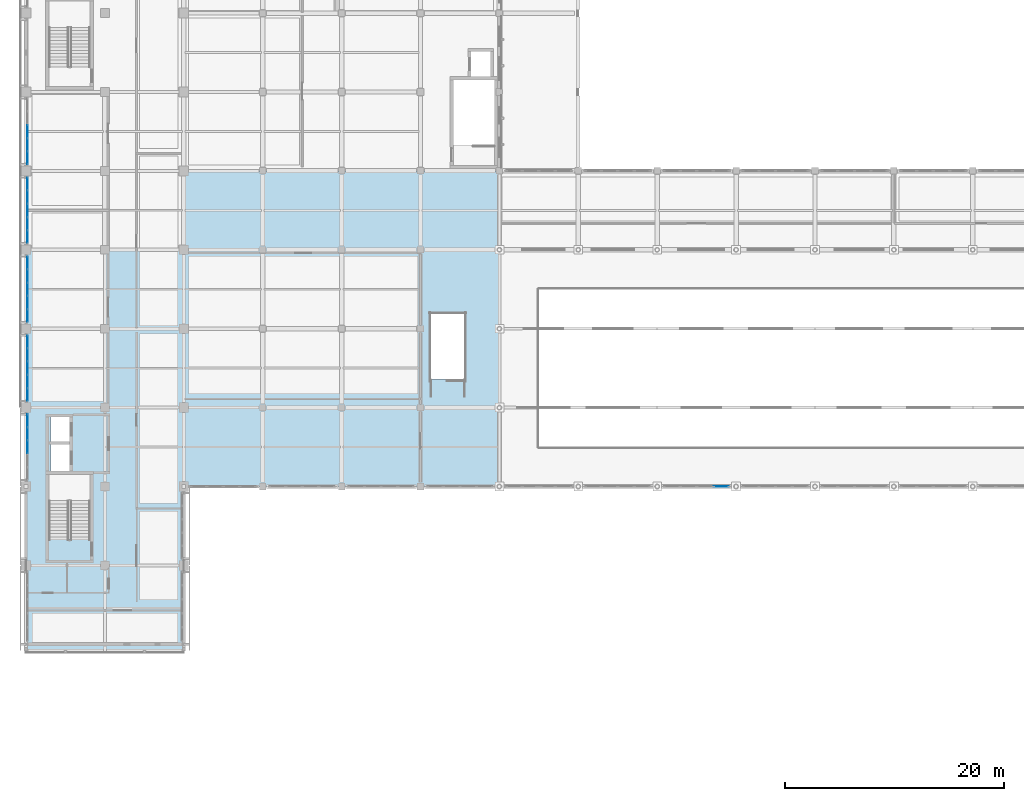
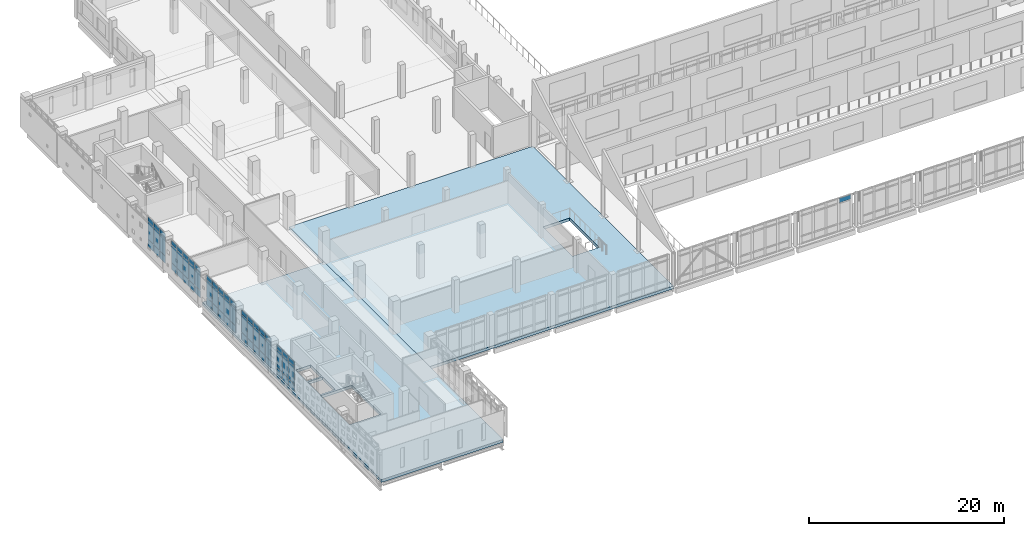
# One storey, part 30 of 62: 64 plates, 2 slabs, 6 elements without a shape of their own.
"""IFC4 building model written with IfcOpenShell, lengths in metres."""

from ifc_helpers import new_model, si_unit, direction, frame, origin, origin_2d, place, context, subcontext, project, spatial, polyline, rectangle, outline, extrude, material, layer, layer_set, type_object, element, aggregate, save


model = new_model("IFC4")

# Units and contexts
model_context = context("Model", 3, precision=1e-05, world=origin(), true_north=direction((0.0, 1.0)))
body_context = subcontext(model_context, "Body", "Model", "MODEL_VIEW")
ifc_project = project(units=[si_unit("LENGTHUNIT", "METRE"), si_unit("AREAUNIT", "SQUARE_METRE"), si_unit("VOLUMEUNIT", "CUBIC_METRE"), si_unit("PLANEANGLEUNIT", "RADIAN"), si_unit("MASSUNIT", "GRAM", prefix="KILO")], contexts=[model_context])

# Site, building, storey
site_placement = place(None, origin())
site = spatial("IfcSite", under=ifc_project, at=site_placement, CompositionType="ELEMENT")
building_placement = place(site_placement, origin())
building = spatial("IfcBuilding", under=site, at=building_placement, Name="Valkovuoma Quantum and Materials Research Institute", CompositionType="ELEMENT")
storey_placement = place(building_placement, frame((0.0, 0.0, 13.1201171875)))
storey = spatial("IfcBuildingStorey", under=building, at=storey_placement, Name="L03", CompositionType="ELEMENT", Elevation=13.1201171875)

# Curtain wall, plates
ifc_material_1 = material(Name="Thermally broken aluminium and triple low-E glazing", Category="aluminium")
ifc_layer_1 = layer(ifc_material_1, 0.219970703125)
ifc_layer_set_1 = layer_set([ifc_layer_1], Name="Thermally broken aluminium and triple low-E glazing")
curtain_wall_type_1 = type_object("IfcCurtainWallType", Name="CW-CW-01", PredefinedType="NOTDEFINED", material=ifc_layer_set_1)
curtain_wall_1_placement = place(storey_placement, origin())
curtain_wall_1 = element("IfcCurtainWall", 1, at=curtain_wall_1_placement, inside=storey, type_object=curtain_wall_type_1, Name="L03 curtain wall 031", PredefinedType="NOTDEFINED")
ifc_material_2 = material(Name="Triple low-E argon insulating glass", Category="glass")
ifc_layer_2 = layer(ifc_material_2, 0.035888671875)
ifc_layer_set_2 = layer_set([ifc_layer_2], Name="Triple low-E argon insulating glass")
plate_type_1 = type_object("IfcPlateType", Name="CWPanel-CWP-01", PredefinedType="CURTAIN_PANEL", material=ifc_layer_set_2)
plate_1_placement = place(storey_placement, frame((0.14990234375, 39.60009765625, 0.06494140625), z_axis=(0.0, 0.0, 1.0), x_axis=(0.0, 1.0, 0.0)))
plate_1 = element("IfcPlate", 2, at=plate_1_placement, type_object=plate_type_1, Name="CW-01 panel 3.1", PredefinedType="CURTAIN_PANEL", context=body_context, shape_type="SweptSolid", body=[
    extrude(rectangle(XDim=1.152099609375, YDim=0.035888671875, at=origin_2d()), origin(), (0.0, 0.0, 1.0), 0.8525390625),
])
plate_2_placement = place(storey_placement, frame((0.14990234375, 39.60009765625, 0.982421875), z_axis=(0.0, 0.0, 1.0), x_axis=(0.0, 1.0, 0.0)))
plate_2 = element("IfcPlate", 3, at=plate_2_placement, type_object=plate_type_1, Name="CW-01 panel 3.2", PredefinedType="CURTAIN_PANEL", context=body_context, shape_type="SweptSolid", body=[
    extrude(rectangle(XDim=1.152099609375, YDim=0.035888671875, at=origin_2d()), origin(), (0.0, 0.0, 1.0), 2.14501953125),
])
plate_3_placement = place(storey_placement, frame((0.14990234375, 39.60009765625, 3.1923828125), z_axis=(0.0, 0.0, 1.0), x_axis=(0.0, 1.0, 0.0)))
plate_3 = element("IfcPlate", 4, at=plate_3_placement, type_object=plate_type_1, Name="CW-01 panel 3.3", PredefinedType="CURTAIN_PANEL", context=body_context, shape_type="SweptSolid", body=[
    extrude(rectangle(XDim=1.152099609375, YDim=0.035888671875, at=origin_2d()), origin(), (0.0, 0.0, 1.0), 0.552490234375),
])
plate_4_placement = place(storey_placement, frame((0.14990234375, 40.817138671875, 0.06494140625), z_axis=(0.0, 0.0, 1.0), x_axis=(0.0, 1.0, 0.0)))
plate_4 = element("IfcPlate", 5, at=plate_4_placement, type_object=plate_type_1, Name="CW-01 panel 4.1", PredefinedType="CURTAIN_PANEL", context=body_context, shape_type="SweptSolid", body=[
    extrude(rectangle(XDim=1.152099609375, YDim=0.035888671875, at=origin_2d()), origin(), (0.0, 0.0, 1.0), 0.8525390625),
])
plate_5_placement = place(storey_placement, frame((0.14990234375, 40.817138671875, 0.982421875), z_axis=(0.0, 0.0, 1.0), x_axis=(0.0, 1.0, 0.0)))
plate_5 = element("IfcPlate", 6, at=plate_5_placement, type_object=plate_type_1, Name="CW-01 panel 4.2", PredefinedType="CURTAIN_PANEL", context=body_context, shape_type="SweptSolid", body=[
    extrude(rectangle(XDim=1.152099609375, YDim=0.035888671875, at=origin_2d()), origin(), (0.0, 0.0, 1.0), 2.14501953125),
])
plate_6_placement = place(storey_placement, frame((0.14990234375, 40.817138671875, 3.1923828125), z_axis=(0.0, 0.0, 1.0), x_axis=(0.0, 1.0, 0.0)))
plate_6 = element("IfcPlate", 7, at=plate_6_placement, type_object=plate_type_1, Name="CW-01 panel 4.3", PredefinedType="CURTAIN_PANEL", context=body_context, shape_type="SweptSolid", body=[
    extrude(rectangle(XDim=1.152099609375, YDim=0.035888671875, at=origin_2d()), origin(), (0.0, 0.0, 1.0), 0.552490234375),
])
plate_7_placement = place(storey_placement, frame((0.14990234375, 42.01806640625, 0.06494140625), z_axis=(0.0, 0.0, 1.0), x_axis=(0.0, 1.0, 0.0)))
plate_7 = element("IfcPlate", 8, at=plate_7_placement, type_object=plate_type_1, Name="CW-01 panel 5.1", PredefinedType="CURTAIN_PANEL", context=body_context, shape_type="SweptSolid", body=[
    extrude(rectangle(XDim=1.11962890625, YDim=0.035888671875, at=origin_2d()), origin(), (0.0, 0.0, 1.0), 0.8525390625),
])
plate_8_placement = place(storey_placement, frame((0.14990234375, 42.01806640625, 0.982421875), z_axis=(0.0, 0.0, 1.0), x_axis=(0.0, 1.0, 0.0)))
plate_8 = element("IfcPlate", 9, at=plate_8_placement, type_object=plate_type_1, Name="CW-01 panel 5.2", PredefinedType="CURTAIN_PANEL", context=body_context, shape_type="SweptSolid", body=[
    extrude(rectangle(XDim=1.11962890625, YDim=0.035888671875, at=origin_2d()), origin(), (0.0, 0.0, 1.0), 2.14501953125),
])
plate_9_placement = place(storey_placement, frame((0.14990234375, 42.01806640625, 3.1923828125), z_axis=(0.0, 0.0, 1.0), x_axis=(0.0, 1.0, 0.0)))
plate_9 = element("IfcPlate", 10, at=plate_9_placement, type_object=plate_type_1, Name="CW-01 panel 5.3", PredefinedType="CURTAIN_PANEL", context=body_context, shape_type="SweptSolid", body=[
    extrude(rectangle(XDim=1.11962890625, YDim=0.035888671875, at=origin_2d()), origin(), (0.0, 0.0, 1.0), 0.552490234375),
])
aggregate(curtain_wall_1, [plate_1, plate_2, plate_3, plate_4, plate_5, plate_6, plate_7, plate_8, plate_9])

curtain_wall_2_placement = place(storey_placement, origin())
curtain_wall_2 = element("IfcCurtainWall", 11, at=curtain_wall_2_placement, inside=storey, type_object=curtain_wall_type_1, Name="L03 curtain wall 032", PredefinedType="NOTDEFINED")
plate_10_placement = place(storey_placement, frame((0.14990234375, 44.3818359375, 0.06494140625), z_axis=(0.0, 0.0, 1.0), x_axis=(0.0, 1.0, 0.0)))
plate_10 = element("IfcPlate", 12, at=plate_10_placement, type_object=plate_type_1, Name="CW-01 panel 1.1", PredefinedType="CURTAIN_PANEL", context=body_context, shape_type="SweptSolid", body=[
    extrude(rectangle(XDim=1.11962890625, YDim=0.035888671875, at=origin_2d()), origin(), (0.0, 0.0, 1.0), 0.8525390625),
])
plate_11_placement = place(storey_placement, frame((0.14990234375, 44.3818359375, 0.982421875), z_axis=(0.0, 0.0, 1.0), x_axis=(0.0, 1.0, 0.0)))
plate_11 = element("IfcPlate", 13, at=plate_11_placement, type_object=plate_type_1, Name="CW-01 panel 1.2", PredefinedType="CURTAIN_PANEL", context=body_context, shape_type="SweptSolid", body=[
    extrude(rectangle(XDim=1.11962890625, YDim=0.035888671875, at=origin_2d()), origin(), (0.0, 0.0, 1.0), 2.14501953125),
])
plate_12_placement = place(storey_placement, frame((0.14990234375, 44.3818359375, 3.1923828125), z_axis=(0.0, 0.0, 1.0), x_axis=(0.0, 1.0, 0.0)))
plate_12 = element("IfcPlate", 14, at=plate_12_placement, type_object=plate_type_1, Name="CW-01 panel 1.3", PredefinedType="CURTAIN_PANEL", context=body_context, shape_type="SweptSolid", body=[
    extrude(rectangle(XDim=1.11962890625, YDim=0.035888671875, at=origin_2d()), origin(), (0.0, 0.0, 1.0), 0.552490234375),
])
plate_13_placement = place(storey_placement, frame((0.14990234375, 45.582763671875, 0.06494140625), z_axis=(0.0, 0.0, 1.0), x_axis=(0.0, 1.0, 0.0)))
plate_13 = element("IfcPlate", 15, at=plate_13_placement, type_object=plate_type_1, Name="CW-01 panel 2.1", PredefinedType="CURTAIN_PANEL", context=body_context, shape_type="SweptSolid", body=[
    extrude(rectangle(XDim=1.152099609375, YDim=0.035888671875, at=origin_2d()), origin(), (0.0, 0.0, 1.0), 0.8525390625),
])
plate_14_placement = place(storey_placement, frame((0.14990234375, 45.582763671875, 0.982421875), z_axis=(0.0, 0.0, 1.0), x_axis=(0.0, 1.0, 0.0)))
plate_14 = element("IfcPlate", 16, at=plate_14_placement, type_object=plate_type_1, Name="CW-01 panel 2.2", PredefinedType="CURTAIN_PANEL", context=body_context, shape_type="SweptSolid", body=[
    extrude(rectangle(XDim=1.152099609375, YDim=0.035888671875, at=origin_2d()), origin(), (0.0, 0.0, 1.0), 2.14501953125),
])
plate_15_placement = place(storey_placement, frame((0.14990234375, 45.582763671875, 3.1923828125), z_axis=(0.0, 0.0, 1.0), x_axis=(0.0, 1.0, 0.0)))
plate_15 = element("IfcPlate", 17, at=plate_15_placement, type_object=plate_type_1, Name="CW-01 panel 2.3", PredefinedType="CURTAIN_PANEL", context=body_context, shape_type="SweptSolid", body=[
    extrude(rectangle(XDim=1.152099609375, YDim=0.035888671875, at=origin_2d()), origin(), (0.0, 0.0, 1.0), 0.552490234375),
])
plate_16_placement = place(storey_placement, frame((0.14990234375, 46.800048828125, 0.06494140625), z_axis=(0.0, 0.0, 1.0), x_axis=(0.0, 1.0, 0.0)))
plate_16 = element("IfcPlate", 18, at=plate_16_placement, type_object=plate_type_1, Name="CW-01 panel 3.1", PredefinedType="CURTAIN_PANEL", context=body_context, shape_type="SweptSolid", body=[
    extrude(rectangle(XDim=1.152099609375, YDim=0.035888671875, at=origin_2d()), origin(), (0.0, 0.0, 1.0), 0.8525390625),
])
plate_17_placement = place(storey_placement, frame((0.14990234375, 46.800048828125, 0.982421875), z_axis=(0.0, 0.0, 1.0), x_axis=(0.0, 1.0, 0.0)))
plate_17 = element("IfcPlate", 19, at=plate_17_placement, type_object=plate_type_1, Name="CW-01 panel 3.2", PredefinedType="CURTAIN_PANEL", context=body_context, shape_type="SweptSolid", body=[
    extrude(rectangle(XDim=1.152099609375, YDim=0.035888671875, at=origin_2d()), origin(), (0.0, 0.0, 1.0), 2.14501953125),
])
plate_18_placement = place(storey_placement, frame((0.14990234375, 46.800048828125, 3.1923828125), z_axis=(0.0, 0.0, 1.0), x_axis=(0.0, 1.0, 0.0)))
plate_18 = element("IfcPlate", 20, at=plate_18_placement, type_object=plate_type_1, Name="CW-01 panel 3.3", PredefinedType="CURTAIN_PANEL", context=body_context, shape_type="SweptSolid", body=[
    extrude(rectangle(XDim=1.152099609375, YDim=0.035888671875, at=origin_2d()), origin(), (0.0, 0.0, 1.0), 0.552490234375),
])
plate_19_placement = place(storey_placement, frame((0.14990234375, 48.01708984375, 0.06494140625), z_axis=(0.0, 0.0, 1.0), x_axis=(0.0, 1.0, 0.0)))
plate_19 = element("IfcPlate", 21, at=plate_19_placement, type_object=plate_type_1, Name="CW-01 panel 4.1", PredefinedType="CURTAIN_PANEL", context=body_context, shape_type="SweptSolid", body=[
    extrude(rectangle(XDim=1.152099609375, YDim=0.035888671875, at=origin_2d()), origin(), (0.0, 0.0, 1.0), 0.8525390625),
])
plate_20_placement = place(storey_placement, frame((0.14990234375, 48.01708984375, 0.982421875), z_axis=(0.0, 0.0, 1.0), x_axis=(0.0, 1.0, 0.0)))
plate_20 = element("IfcPlate", 22, at=plate_20_placement, type_object=plate_type_1, Name="CW-01 panel 4.2", PredefinedType="CURTAIN_PANEL", context=body_context, shape_type="SweptSolid", body=[
    extrude(rectangle(XDim=1.152099609375, YDim=0.035888671875, at=origin_2d()), origin(), (0.0, 0.0, 1.0), 2.14501953125),
])
plate_21_placement = place(storey_placement, frame((0.14990234375, 48.01708984375, 3.1923828125), z_axis=(0.0, 0.0, 1.0), x_axis=(0.0, 1.0, 0.0)))
plate_21 = element("IfcPlate", 23, at=plate_21_placement, type_object=plate_type_1, Name="CW-01 panel 4.3", PredefinedType="CURTAIN_PANEL", context=body_context, shape_type="SweptSolid", body=[
    extrude(rectangle(XDim=1.152099609375, YDim=0.035888671875, at=origin_2d()), origin(), (0.0, 0.0, 1.0), 0.552490234375),
])
plate_22_placement = place(storey_placement, frame((0.14990234375, 49.218017578125, 0.06494140625), z_axis=(0.0, 0.0, 1.0), x_axis=(0.0, 1.0, 0.0)))
plate_22 = element("IfcPlate", 24, at=plate_22_placement, type_object=plate_type_1, Name="CW-01 panel 5.1", PredefinedType="CURTAIN_PANEL", context=body_context, shape_type="SweptSolid", body=[
    extrude(rectangle(XDim=1.11962890625, YDim=0.035888671875, at=origin_2d()), origin(), (0.0, 0.0, 1.0), 0.8525390625),
])
plate_23_placement = place(storey_placement, frame((0.14990234375, 49.218017578125, 0.982421875), z_axis=(0.0, 0.0, 1.0), x_axis=(0.0, 1.0, 0.0)))
plate_23 = element("IfcPlate", 25, at=plate_23_placement, type_object=plate_type_1, Name="CW-01 panel 5.2", PredefinedType="CURTAIN_PANEL", context=body_context, shape_type="SweptSolid", body=[
    extrude(rectangle(XDim=1.11962890625, YDim=0.035888671875, at=origin_2d()), origin(), (0.0, 0.0, 1.0), 2.14501953125),
])
plate_24_placement = place(storey_placement, frame((0.14990234375, 49.218017578125, 3.1923828125), z_axis=(0.0, 0.0, 1.0), x_axis=(0.0, 1.0, 0.0)))
plate_24 = element("IfcPlate", 26, at=plate_24_placement, type_object=plate_type_1, Name="CW-01 panel 5.3", PredefinedType="CURTAIN_PANEL", context=body_context, shape_type="SweptSolid", body=[
    extrude(rectangle(XDim=1.11962890625, YDim=0.035888671875, at=origin_2d()), origin(), (0.0, 0.0, 1.0), 0.552490234375),
])
aggregate(curtain_wall_2, [plate_10, plate_11, plate_12, plate_13, plate_14, plate_15, plate_16, plate_17, plate_18, plate_19, plate_20, plate_21, plate_22, plate_23, plate_24])

curtain_wall_3_placement = place(storey_placement, origin())
curtain_wall_3 = element("IfcCurtainWall", 27, at=curtain_wall_3_placement, inside=storey, type_object=curtain_wall_type_1, Name="L03 curtain wall 033", PredefinedType="NOTDEFINED")
plate_25_placement = place(storey_placement, frame((0.14990234375, 51.58203125, 0.06494140625), z_axis=(0.0, 0.0, 1.0), x_axis=(0.0, 1.0, 0.0)))
plate_25 = element("IfcPlate", 28, at=plate_25_placement, type_object=plate_type_1, Name="CW-01 panel 1.1", PredefinedType="CURTAIN_PANEL", context=body_context, shape_type="SweptSolid", body=[
    extrude(rectangle(XDim=1.11962890625, YDim=0.035888671875, at=origin_2d()), origin(), (0.0, 0.0, 1.0), 0.8525390625),
])
plate_26_placement = place(storey_placement, frame((0.14990234375, 51.58203125, 0.982421875), z_axis=(0.0, 0.0, 1.0), x_axis=(0.0, 1.0, 0.0)))
plate_26 = element("IfcPlate", 29, at=plate_26_placement, type_object=plate_type_1, Name="CW-01 panel 1.2", PredefinedType="CURTAIN_PANEL", context=body_context, shape_type="SweptSolid", body=[
    extrude(rectangle(XDim=1.11962890625, YDim=0.035888671875, at=origin_2d()), origin(), (0.0, 0.0, 1.0), 2.14501953125),
])
plate_27_placement = place(storey_placement, frame((0.14990234375, 51.58203125, 3.1923828125), z_axis=(0.0, 0.0, 1.0), x_axis=(0.0, 1.0, 0.0)))
plate_27 = element("IfcPlate", 30, at=plate_27_placement, type_object=plate_type_1, Name="CW-01 panel 1.3", PredefinedType="CURTAIN_PANEL", context=body_context, shape_type="SweptSolid", body=[
    extrude(rectangle(XDim=1.11962890625, YDim=0.035888671875, at=origin_2d()), origin(), (0.0, 0.0, 1.0), 0.552490234375),
])
plate_28_placement = place(storey_placement, frame((0.14990234375, 52.782958984375, 0.06494140625), z_axis=(0.0, 0.0, 1.0), x_axis=(0.0, 1.0, 0.0)))
plate_28 = element("IfcPlate", 31, at=plate_28_placement, type_object=plate_type_1, Name="CW-01 panel 2.1", PredefinedType="CURTAIN_PANEL", context=body_context, shape_type="SweptSolid", body=[
    extrude(rectangle(XDim=1.152099609375, YDim=0.035888671875, at=origin_2d()), origin(), (0.0, 0.0, 1.0), 0.8525390625),
])
plate_29_placement = place(storey_placement, frame((0.14990234375, 52.782958984375, 0.982421875), z_axis=(0.0, 0.0, 1.0), x_axis=(0.0, 1.0, 0.0)))
plate_29 = element("IfcPlate", 32, at=plate_29_placement, type_object=plate_type_1, Name="CW-01 panel 2.2", PredefinedType="CURTAIN_PANEL", context=body_context, shape_type="SweptSolid", body=[
    extrude(rectangle(XDim=1.152099609375, YDim=0.035888671875, at=origin_2d()), origin(), (0.0, 0.0, 1.0), 2.14501953125),
])
plate_30_placement = place(storey_placement, frame((0.14990234375, 52.782958984375, 3.1923828125), z_axis=(0.0, 0.0, 1.0), x_axis=(0.0, 1.0, 0.0)))
plate_30 = element("IfcPlate", 33, at=plate_30_placement, type_object=plate_type_1, Name="CW-01 panel 2.3", PredefinedType="CURTAIN_PANEL", context=body_context, shape_type="SweptSolid", body=[
    extrude(rectangle(XDim=1.152099609375, YDim=0.035888671875, at=origin_2d()), origin(), (0.0, 0.0, 1.0), 0.552490234375),
])
plate_31_placement = place(storey_placement, frame((0.14990234375, 54.0, 0.06494140625), z_axis=(0.0, 0.0, 1.0), x_axis=(0.0, 1.0, 0.0)))
plate_31 = element("IfcPlate", 34, at=plate_31_placement, type_object=plate_type_1, Name="CW-01 panel 3.1", PredefinedType="CURTAIN_PANEL", context=body_context, shape_type="SweptSolid", body=[
    extrude(rectangle(XDim=1.152099609375, YDim=0.035888671875, at=origin_2d()), origin(), (0.0, 0.0, 1.0), 0.8525390625),
])
plate_32_placement = place(storey_placement, frame((0.14990234375, 54.0, 0.982421875), z_axis=(0.0, 0.0, 1.0), x_axis=(0.0, 1.0, 0.0)))
plate_32 = element("IfcPlate", 35, at=plate_32_placement, type_object=plate_type_1, Name="CW-01 panel 3.2", PredefinedType="CURTAIN_PANEL", context=body_context, shape_type="SweptSolid", body=[
    extrude(rectangle(XDim=1.152099609375, YDim=0.035888671875, at=origin_2d()), origin(), (0.0, 0.0, 1.0), 2.14501953125),
])
plate_33_placement = place(storey_placement, frame((0.14990234375, 54.0, 3.1923828125), z_axis=(0.0, 0.0, 1.0), x_axis=(0.0, 1.0, 0.0)))
plate_33 = element("IfcPlate", 36, at=plate_33_placement, type_object=plate_type_1, Name="CW-01 panel 3.3", PredefinedType="CURTAIN_PANEL", context=body_context, shape_type="SweptSolid", body=[
    extrude(rectangle(XDim=1.152099609375, YDim=0.035888671875, at=origin_2d()), origin(), (0.0, 0.0, 1.0), 0.552490234375),
])
plate_34_placement = place(storey_placement, frame((0.14990234375, 55.217041015625, 0.06494140625), z_axis=(0.0, 0.0, 1.0), x_axis=(0.0, 1.0, 0.0)))
plate_34 = element("IfcPlate", 37, at=plate_34_placement, type_object=plate_type_1, Name="CW-01 panel 4.1", PredefinedType="CURTAIN_PANEL", context=body_context, shape_type="SweptSolid", body=[
    extrude(rectangle(XDim=1.152099609375, YDim=0.035888671875, at=origin_2d()), origin(), (0.0, 0.0, 1.0), 0.8525390625),
])
plate_35_placement = place(storey_placement, frame((0.14990234375, 55.217041015625, 0.982421875), z_axis=(0.0, 0.0, 1.0), x_axis=(0.0, 1.0, 0.0)))
plate_35 = element("IfcPlate", 38, at=plate_35_placement, type_object=plate_type_1, Name="CW-01 panel 4.2", PredefinedType="CURTAIN_PANEL", context=body_context, shape_type="SweptSolid", body=[
    extrude(rectangle(XDim=1.152099609375, YDim=0.035888671875, at=origin_2d()), origin(), (0.0, 0.0, 1.0), 2.14501953125),
])
plate_36_placement = place(storey_placement, frame((0.14990234375, 55.217041015625, 3.1923828125), z_axis=(0.0, 0.0, 1.0), x_axis=(0.0, 1.0, 0.0)))
plate_36 = element("IfcPlate", 39, at=plate_36_placement, type_object=plate_type_1, Name="CW-01 panel 4.3", PredefinedType="CURTAIN_PANEL", context=body_context, shape_type="SweptSolid", body=[
    extrude(rectangle(XDim=1.152099609375, YDim=0.035888671875, at=origin_2d()), origin(), (0.0, 0.0, 1.0), 0.552490234375),
])
plate_37_placement = place(storey_placement, frame((0.14990234375, 56.41796875, 0.06494140625), z_axis=(0.0, 0.0, 1.0), x_axis=(0.0, 1.0, 0.0)))
plate_37 = element("IfcPlate", 40, at=plate_37_placement, type_object=plate_type_1, Name="CW-01 panel 5.1", PredefinedType="CURTAIN_PANEL", context=body_context, shape_type="SweptSolid", body=[
    extrude(rectangle(XDim=1.11962890625, YDim=0.035888671875, at=origin_2d()), origin(), (0.0, 0.0, 1.0), 0.8525390625),
])
plate_38_placement = place(storey_placement, frame((0.14990234375, 56.41796875, 0.982421875), z_axis=(0.0, 0.0, 1.0), x_axis=(0.0, 1.0, 0.0)))
plate_38 = element("IfcPlate", 41, at=plate_38_placement, type_object=plate_type_1, Name="CW-01 panel 5.2", PredefinedType="CURTAIN_PANEL", context=body_context, shape_type="SweptSolid", body=[
    extrude(rectangle(XDim=1.11962890625, YDim=0.035888671875, at=origin_2d()), origin(), (0.0, 0.0, 1.0), 2.14501953125),
])
plate_39_placement = place(storey_placement, frame((0.14990234375, 56.41796875, 3.1923828125), z_axis=(0.0, 0.0, 1.0), x_axis=(0.0, 1.0, 0.0)))
plate_39 = element("IfcPlate", 42, at=plate_39_placement, type_object=plate_type_1, Name="CW-01 panel 5.3", PredefinedType="CURTAIN_PANEL", context=body_context, shape_type="SweptSolid", body=[
    extrude(rectangle(XDim=1.11962890625, YDim=0.035888671875, at=origin_2d()), origin(), (0.0, 0.0, 1.0), 0.552490234375),
])
aggregate(curtain_wall_3, [plate_25, plate_26, plate_27, plate_28, plate_29, plate_30, plate_31, plate_32, plate_33, plate_34, plate_35, plate_36, plate_37, plate_38, plate_39])

curtain_wall_4_placement = place(storey_placement, origin())
curtain_wall_4 = element("IfcCurtainWall", 43, at=curtain_wall_4_placement, inside=storey, type_object=curtain_wall_type_1, Name="L03 curtain wall 034", PredefinedType="NOTDEFINED")
plate_40_placement = place(storey_placement, frame((0.14990234375, 58.781982421875, 0.06494140625), z_axis=(0.0, 0.0, 1.0), x_axis=(0.0, 1.0, 0.0)))
plate_40 = element("IfcPlate", 44, at=plate_40_placement, type_object=plate_type_1, Name="CW-01 panel 1.1", PredefinedType="CURTAIN_PANEL", context=body_context, shape_type="SweptSolid", body=[
    extrude(rectangle(XDim=1.11962890625, YDim=0.035888671875, at=origin_2d()), origin(), (0.0, 0.0, 1.0), 0.8525390625),
])
plate_41_placement = place(storey_placement, frame((0.14990234375, 58.781982421875, 0.982421875), z_axis=(0.0, 0.0, 1.0), x_axis=(0.0, 1.0, 0.0)))
plate_41 = element("IfcPlate", 45, at=plate_41_placement, type_object=plate_type_1, Name="CW-01 panel 1.2", PredefinedType="CURTAIN_PANEL", context=body_context, shape_type="SweptSolid", body=[
    extrude(rectangle(XDim=1.11962890625, YDim=0.035888671875, at=origin_2d()), origin(), (0.0, 0.0, 1.0), 2.14501953125),
])
plate_42_placement = place(storey_placement, frame((0.14990234375, 58.781982421875, 3.1923828125), z_axis=(0.0, 0.0, 1.0), x_axis=(0.0, 1.0, 0.0)))
plate_42 = element("IfcPlate", 46, at=plate_42_placement, type_object=plate_type_1, Name="CW-01 panel 1.3", PredefinedType="CURTAIN_PANEL", context=body_context, shape_type="SweptSolid", body=[
    extrude(rectangle(XDim=1.11962890625, YDim=0.035888671875, at=origin_2d()), origin(), (0.0, 0.0, 1.0), 0.552490234375),
])
plate_43_placement = place(storey_placement, frame((0.14990234375, 59.98291015625, 0.06494140625), z_axis=(0.0, 0.0, 1.0), x_axis=(0.0, 1.0, 0.0)))
plate_43 = element("IfcPlate", 47, at=plate_43_placement, type_object=plate_type_1, Name="CW-01 panel 2.1", PredefinedType="CURTAIN_PANEL", context=body_context, shape_type="SweptSolid", body=[
    extrude(rectangle(XDim=1.152099609375, YDim=0.035888671875, at=origin_2d()), origin(), (0.0, 0.0, 1.0), 0.8525390625),
])
plate_44_placement = place(storey_placement, frame((0.14990234375, 59.98291015625, 0.982421875), z_axis=(0.0, 0.0, 1.0), x_axis=(0.0, 1.0, 0.0)))
plate_44 = element("IfcPlate", 48, at=plate_44_placement, type_object=plate_type_1, Name="CW-01 panel 2.2", PredefinedType="CURTAIN_PANEL", context=body_context, shape_type="SweptSolid", body=[
    extrude(rectangle(XDim=1.152099609375, YDim=0.035888671875, at=origin_2d()), origin(), (0.0, 0.0, 1.0), 2.14501953125),
])
plate_45_placement = place(storey_placement, frame((0.14990234375, 59.98291015625, 3.1923828125), z_axis=(0.0, 0.0, 1.0), x_axis=(0.0, 1.0, 0.0)))
plate_45 = element("IfcPlate", 49, at=plate_45_placement, type_object=plate_type_1, Name="CW-01 panel 2.3", PredefinedType="CURTAIN_PANEL", context=body_context, shape_type="SweptSolid", body=[
    extrude(rectangle(XDim=1.152099609375, YDim=0.035888671875, at=origin_2d()), origin(), (0.0, 0.0, 1.0), 0.552490234375),
])
plate_46_placement = place(storey_placement, frame((0.14990234375, 61.199951171875, 0.06494140625), z_axis=(0.0, 0.0, 1.0), x_axis=(0.0, 1.0, 0.0)))
plate_46 = element("IfcPlate", 50, at=plate_46_placement, type_object=plate_type_1, Name="CW-01 panel 3.1", PredefinedType="CURTAIN_PANEL", context=body_context, shape_type="SweptSolid", body=[
    extrude(rectangle(XDim=1.152099609375, YDim=0.035888671875, at=origin_2d()), origin(), (0.0, 0.0, 1.0), 0.8525390625),
])
plate_47_placement = place(storey_placement, frame((0.14990234375, 61.199951171875, 0.982421875), z_axis=(0.0, 0.0, 1.0), x_axis=(0.0, 1.0, 0.0)))
plate_47 = element("IfcPlate", 51, at=plate_47_placement, type_object=plate_type_1, Name="CW-01 panel 3.2", PredefinedType="CURTAIN_PANEL", context=body_context, shape_type="SweptSolid", body=[
    extrude(rectangle(XDim=1.152099609375, YDim=0.035888671875, at=origin_2d()), origin(), (0.0, 0.0, 1.0), 2.14501953125),
])
plate_48_placement = place(storey_placement, frame((0.14990234375, 61.199951171875, 3.1923828125), z_axis=(0.0, 0.0, 1.0), x_axis=(0.0, 1.0, 0.0)))
plate_48 = element("IfcPlate", 52, at=plate_48_placement, type_object=plate_type_1, Name="CW-01 panel 3.3", PredefinedType="CURTAIN_PANEL", context=body_context, shape_type="SweptSolid", body=[
    extrude(rectangle(XDim=1.152099609375, YDim=0.035888671875, at=origin_2d()), origin(), (0.0, 0.0, 1.0), 0.552490234375),
])
plate_49_placement = place(storey_placement, frame((0.14990234375, 62.417236328125, 0.06494140625), z_axis=(0.0, 0.0, 1.0), x_axis=(0.0, 1.0, 0.0)))
plate_49 = element("IfcPlate", 53, at=plate_49_placement, type_object=plate_type_1, Name="CW-01 panel 4.1", PredefinedType="CURTAIN_PANEL", context=body_context, shape_type="SweptSolid", body=[
    extrude(rectangle(XDim=1.152099609375, YDim=0.035888671875, at=origin_2d()), origin(), (0.0, 0.0, 1.0), 0.8525390625),
])
plate_50_placement = place(storey_placement, frame((0.14990234375, 62.417236328125, 0.982421875), z_axis=(0.0, 0.0, 1.0), x_axis=(0.0, 1.0, 0.0)))
plate_50 = element("IfcPlate", 54, at=plate_50_placement, type_object=plate_type_1, Name="CW-01 panel 4.2", PredefinedType="CURTAIN_PANEL", context=body_context, shape_type="SweptSolid", body=[
    extrude(rectangle(XDim=1.152099609375, YDim=0.035888671875, at=origin_2d()), origin(), (0.0, 0.0, 1.0), 2.14501953125),
])
plate_51_placement = place(storey_placement, frame((0.14990234375, 62.417236328125, 3.1923828125), z_axis=(0.0, 0.0, 1.0), x_axis=(0.0, 1.0, 0.0)))
plate_51 = element("IfcPlate", 55, at=plate_51_placement, type_object=plate_type_1, Name="CW-01 panel 4.3", PredefinedType="CURTAIN_PANEL", context=body_context, shape_type="SweptSolid", body=[
    extrude(rectangle(XDim=1.152099609375, YDim=0.035888671875, at=origin_2d()), origin(), (0.0, 0.0, 1.0), 0.552490234375),
])
plate_52_placement = place(storey_placement, frame((0.14990234375, 63.6181640625, 0.06494140625), z_axis=(0.0, 0.0, 1.0), x_axis=(0.0, 1.0, 0.0)))
plate_52 = element("IfcPlate", 56, at=plate_52_placement, type_object=plate_type_1, Name="CW-01 panel 5.1", PredefinedType="CURTAIN_PANEL", context=body_context, shape_type="SweptSolid", body=[
    extrude(rectangle(XDim=1.11962890625, YDim=0.035888671875, at=origin_2d()), origin(), (0.0, 0.0, 1.0), 0.8525390625),
])
plate_53_placement = place(storey_placement, frame((0.14990234375, 63.6181640625, 0.982421875), z_axis=(0.0, 0.0, 1.0), x_axis=(0.0, 1.0, 0.0)))
plate_53 = element("IfcPlate", 57, at=plate_53_placement, type_object=plate_type_1, Name="CW-01 panel 5.2", PredefinedType="CURTAIN_PANEL", context=body_context, shape_type="SweptSolid", body=[
    extrude(rectangle(XDim=1.11962890625, YDim=0.035888671875, at=origin_2d()), origin(), (0.0, 0.0, 1.0), 2.14501953125),
])
plate_54_placement = place(storey_placement, frame((0.14990234375, 63.6181640625, 3.1923828125), z_axis=(0.0, 0.0, 1.0), x_axis=(0.0, 1.0, 0.0)))
plate_54 = element("IfcPlate", 58, at=plate_54_placement, type_object=plate_type_1, Name="CW-01 panel 5.3", PredefinedType="CURTAIN_PANEL", context=body_context, shape_type="SweptSolid", body=[
    extrude(rectangle(XDim=1.11962890625, YDim=0.035888671875, at=origin_2d()), origin(), (0.0, 0.0, 1.0), 0.552490234375),
])
aggregate(curtain_wall_4, [plate_40, plate_41, plate_42, plate_43, plate_44, plate_45, plate_46, plate_47, plate_48, plate_49, plate_50, plate_51, plate_52, plate_53, plate_54])

curtain_wall_5_placement = place(storey_placement, origin())
curtain_wall_5 = element("IfcCurtainWall", 59, at=curtain_wall_5_placement, inside=storey, type_object=curtain_wall_type_1, Name="L03 curtain wall 035", PredefinedType="NOTDEFINED")
plate_55_placement = place(storey_placement, frame((0.14990234375, 65.98193359375, 0.06494140625), z_axis=(0.0, 0.0, 1.0), x_axis=(0.0, 1.0, 0.0)))
plate_55 = element("IfcPlate", 60, at=plate_55_placement, type_object=plate_type_1, Name="CW-01 panel 1.1", PredefinedType="CURTAIN_PANEL", context=body_context, shape_type="SweptSolid", body=[
    extrude(rectangle(XDim=1.11962890625, YDim=0.035888671875, at=origin_2d()), origin(), (0.0, 0.0, 1.0), 0.8525390625),
])
plate_56_placement = place(storey_placement, frame((0.14990234375, 65.98193359375, 0.982421875), z_axis=(0.0, 0.0, 1.0), x_axis=(0.0, 1.0, 0.0)))
plate_56 = element("IfcPlate", 61, at=plate_56_placement, type_object=plate_type_1, Name="CW-01 panel 1.2", PredefinedType="CURTAIN_PANEL", context=body_context, shape_type="SweptSolid", body=[
    extrude(rectangle(XDim=1.11962890625, YDim=0.035888671875, at=origin_2d()), origin(), (0.0, 0.0, 1.0), 2.14501953125),
])
plate_57_placement = place(storey_placement, frame((0.14990234375, 65.98193359375, 3.1923828125), z_axis=(0.0, 0.0, 1.0), x_axis=(0.0, 1.0, 0.0)))
plate_57 = element("IfcPlate", 62, at=plate_57_placement, type_object=plate_type_1, Name="CW-01 panel 1.3", PredefinedType="CURTAIN_PANEL", context=body_context, shape_type="SweptSolid", body=[
    extrude(rectangle(XDim=1.11962890625, YDim=0.035888671875, at=origin_2d()), origin(), (0.0, 0.0, 1.0), 0.552490234375),
])
plate_58_placement = place(storey_placement, frame((0.14990234375, 67.182861328125, 0.06494140625), z_axis=(0.0, 0.0, 1.0), x_axis=(0.0, 1.0, 0.0)))
plate_58 = element("IfcPlate", 63, at=plate_58_placement, type_object=plate_type_1, Name="CW-01 panel 2.1", PredefinedType="CURTAIN_PANEL", context=body_context, shape_type="SweptSolid", body=[
    extrude(rectangle(XDim=1.152099609375, YDim=0.035888671875, at=origin_2d()), origin(), (0.0, 0.0, 1.0), 0.8525390625),
])
plate_59_placement = place(storey_placement, frame((0.14990234375, 67.182861328125, 0.982421875), z_axis=(0.0, 0.0, 1.0), x_axis=(0.0, 1.0, 0.0)))
plate_59 = element("IfcPlate", 64, at=plate_59_placement, type_object=plate_type_1, Name="CW-01 panel 2.2", PredefinedType="CURTAIN_PANEL", context=body_context, shape_type="SweptSolid", body=[
    extrude(rectangle(XDim=1.152099609375, YDim=0.035888671875, at=origin_2d()), origin(), (0.0, 0.0, 1.0), 2.14501953125),
])
plate_60_placement = place(storey_placement, frame((0.14990234375, 67.182861328125, 3.1923828125), z_axis=(0.0, 0.0, 1.0), x_axis=(0.0, 1.0, 0.0)))
plate_60 = element("IfcPlate", 65, at=plate_60_placement, type_object=plate_type_1, Name="CW-01 panel 2.3", PredefinedType="CURTAIN_PANEL", context=body_context, shape_type="SweptSolid", body=[
    extrude(rectangle(XDim=1.152099609375, YDim=0.035888671875, at=origin_2d()), origin(), (0.0, 0.0, 1.0), 0.552490234375),
])
plate_61_placement = place(storey_placement, frame((0.14990234375, 68.39990234375, 0.06494140625), z_axis=(0.0, 0.0, 1.0), x_axis=(0.0, 1.0, 0.0)))
plate_61 = element("IfcPlate", 66, at=plate_61_placement, type_object=plate_type_1, Name="CW-01 panel 3.1", PredefinedType="CURTAIN_PANEL", context=body_context, shape_type="SweptSolid", body=[
    extrude(rectangle(XDim=1.152099609375, YDim=0.035888671875, at=origin_2d()), origin(), (0.0, 0.0, 1.0), 0.8525390625),
])
plate_62_placement = place(storey_placement, frame((0.14990234375, 68.39990234375, 0.982421875), z_axis=(0.0, 0.0, 1.0), x_axis=(0.0, 1.0, 0.0)))
plate_62 = element("IfcPlate", 67, at=plate_62_placement, type_object=plate_type_1, Name="CW-01 panel 3.2", PredefinedType="CURTAIN_PANEL", context=body_context, shape_type="SweptSolid", body=[
    extrude(rectangle(XDim=1.152099609375, YDim=0.035888671875, at=origin_2d()), origin(), (0.0, 0.0, 1.0), 2.14501953125),
])
plate_63_placement = place(storey_placement, frame((0.14990234375, 68.39990234375, 3.1923828125), z_axis=(0.0, 0.0, 1.0), x_axis=(0.0, 1.0, 0.0)))
plate_63 = element("IfcPlate", 68, at=plate_63_placement, type_object=plate_type_1, Name="CW-01 panel 3.3", PredefinedType="CURTAIN_PANEL", context=body_context, shape_type="SweptSolid", body=[
    extrude(rectangle(XDim=1.152099609375, YDim=0.035888671875, at=origin_2d()), origin(), (0.0, 0.0, 1.0), 0.552490234375),
])
aggregate(curtain_wall_5, [plate_55, plate_56, plate_57, plate_58, plate_59, plate_60, plate_61, plate_62, plate_63])

# Curtain wall, plate
ifc_material_3 = material(Name="Thermally broken aluminium and triple low-E glazing", Category="aluminium")
ifc_layer_3 = layer(ifc_material_3, 0.219970703125)
ifc_layer_set_3 = layer_set([ifc_layer_3], Name="Thermally broken aluminium and triple low-E glazing")
curtain_wall_type_2 = type_object("IfcCurtainWallType", Name="CW-CW-02", PredefinedType="NOTDEFINED", material=ifc_layer_set_3)
curtain_wall_6_placement = place(storey_placement, origin())
curtain_wall_6 = element("IfcCurtainWall", 69, at=curtain_wall_6_placement, inside=storey, type_object=curtain_wall_type_2, Name="L03 curtain wall 205", PredefinedType="NOTDEFINED")
ifc_material_4 = material(Name="Triple low-E argon insulating glass", Category="glass")
ifc_layer_4 = layer(ifc_material_4, 0.048095703125)
ifc_layer_set_4 = layer_set([ifc_layer_4], Name="Triple low-E argon insulating glass")
plate_type_2 = type_object("IfcPlateType", Name="CWPanel-CWP-03", PredefinedType="CURTAIN_PANEL", material=ifc_layer_set_4)
plate_64_placement = place(storey_placement, frame((63.445068359375, 36.0, 3.54736328125), z_axis=(0.0, 0.0, 1.0), x_axis=(1.0, 0.0, 0.0)))
plate_64 = element("IfcPlate", 70, at=plate_64_placement, type_object=plate_type_2, Name="CW-02 panel 4.3", PredefinedType="CURTAIN_PANEL", context=body_context, shape_type="SweptSolid", body=[
    extrude(rectangle(XDim=1.389892578125, YDim=0.048095703125, at=origin_2d()), origin(), (0.0, 0.0, 1.0), 0.53759765625),
])
aggregate(curtain_wall_6, [plate_64])

# Slabs
ifc_material_5 = material(Name="Concrete C40/50", Category="concrete")
ifc_layer_5 = layer(ifc_material_5, 0.35009765625)
ifc_layer_set_5 = layer_set([ifc_layer_5], Name="Concrete C40/50")
slab_type = type_object("IfcSlabType", Name="Slab-SL-FL350", PredefinedType="FLOOR", material=ifc_layer_set_5)
slab_1_placement = place(storey_placement, frame((0.0, 0.0, -0.35009765625)))
element("IfcSlab", 71, at=slab_1_placement, inside=storey, type_object=slab_type, Name="L03 vol2_atrium structural slab 1", PredefinedType="FLOOR", context=body_context, shape_type="SweptSolid", body=[
    extrude(outline(polyline([(14.39990234375, 36.0), (43.199951171875, 36.0), (43.199951171875, 64.800048828125), (14.39990234375, 64.800048828125), (14.39990234375, 36.0)]), holes=[polyline([(36.89990234375, 45.760009765625), (40.050048828125, 45.760009765625), (40.050048828125, 51.800048828125), (36.89990234375, 51.800048828125), (36.89990234375, 45.760009765625)])]), origin(), (0.0, 0.0, 1.0), 0.35009765625),
])
slab_2_placement = place(storey_placement, frame((0.0, 0.0, -0.35009765625)))
element("IfcSlab", 72, at=slab_2_placement, inside=storey, type_object=slab_type, Name="L03 vol5_drylab structural slab 1", PredefinedType="FLOOR", context=body_context, shape_type="SweptSolid", body=[
    extrude(outline(polyline([(0.0, 21.0), (14.39990234375, 21.0), (14.39990234375, 57.60009765625), (0.0, 57.60009765625), (0.0, 21.0)]), holes=[polyline([(2.10009765625, 31.159912109375), (5.85009765625, 31.159912109375), (5.85009765625, 37.10009765625), (2.10009765625, 37.10009765625), (2.10009765625, 31.159912109375)]), polyline([(2.219970703125, 37.320068359375), (3.97998046875, 37.320068359375), (3.97998046875, 39.8798828125), (2.219970703125, 39.8798828125), (2.219970703125, 37.320068359375)]), polyline([(2.219970703125, 40.070068359375), (3.97998046875, 40.070068359375), (3.97998046875, 42.330078125), (2.219970703125, 42.330078125), (2.219970703125, 40.070068359375)])]), origin(), (0.0, 0.0, 1.0), 0.35009765625),
])

save(model, "model.ifc")
